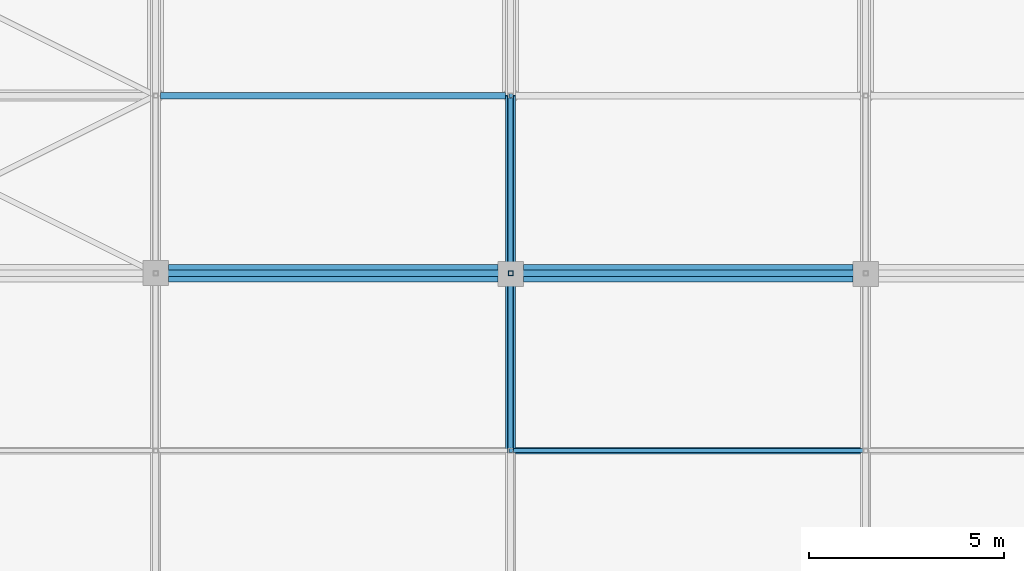
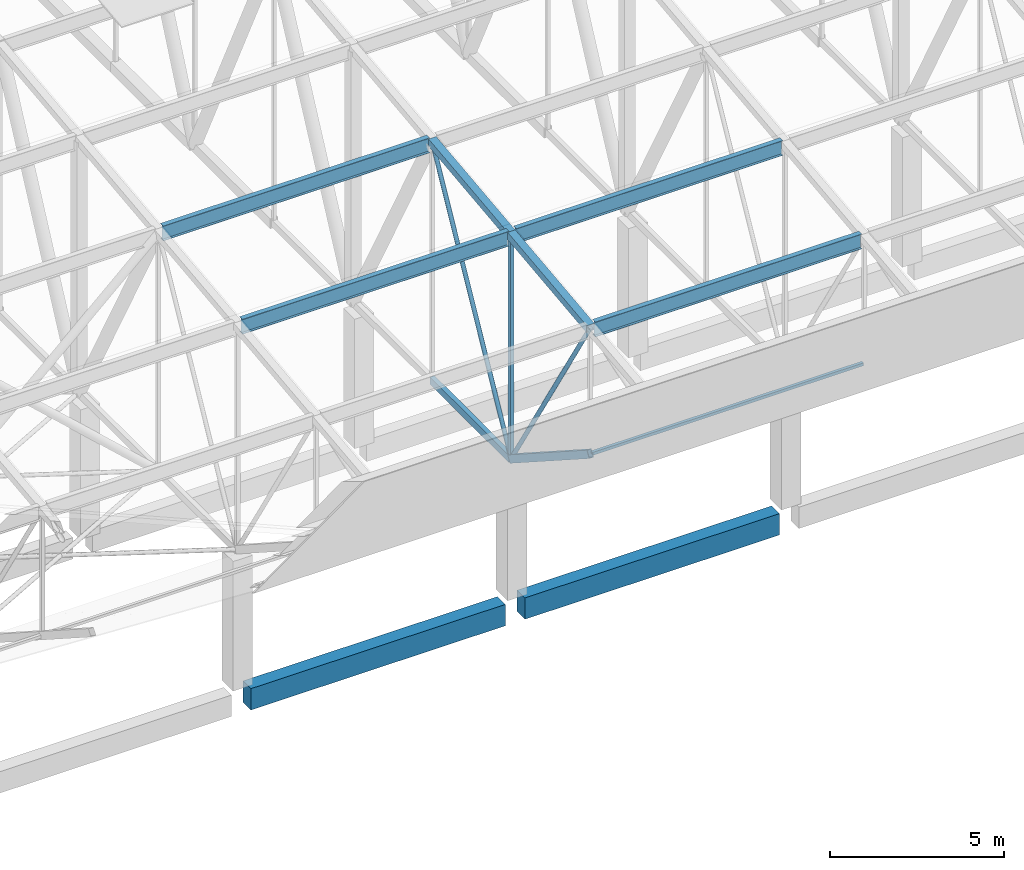
# One storey, part 95 of 500: 12 members, 2 beams.
"""IFC4 building model written with IfcOpenShell, lengths in metres."""

from ifc_helpers import new_model, si_unit, direction, frame, origin, origin_2d, place, context, subcontext, project, spatial, rectangle, hollow_rectangle, hollow_circle, i_section, extrude, material, material_profile, profile_set, type_object, element, save


model = new_model("IFC4")

# Units and contexts
model_context = context("Model", 3, precision=1e-05, world=origin(), true_north=direction((0.0, 1.0)))
body_context = subcontext(model_context, "Body", "Model", "MODEL_VIEW")
ifc_project = project(units=[si_unit("LENGTHUNIT", "METRE"), si_unit("AREAUNIT", "SQUARE_METRE"), si_unit("VOLUMEUNIT", "CUBIC_METRE"), si_unit("PLANEANGLEUNIT", "RADIAN"), si_unit("MASSUNIT", "GRAM", prefix="KILO")], contexts=[model_context])

# Site, building, storey
site_placement = place(None, origin())
site = spatial("IfcSite", under=ifc_project, at=site_placement, CompositionType="ELEMENT")
building_placement = place(site_placement, origin())
building = spatial("IfcBuilding", under=site, at=building_placement, Name="Shirokan Park Arena", CompositionType="ELEMENT")
storey_placement = place(building_placement, frame((0.0, 0.0, 29.1201171875)))
storey = spatial("IfcBuildingStorey", under=building, at=storey_placement, Name="L06", CompositionType="ELEMENT", Elevation=29.1201171875)

# Members
ifc_material_1 = material(Name="Steel ASTM A500 Grade C", Category="steel")
ifc_material_profile_1 = material_profile(ifc_material_1, hollow_rectangle(XDim=0.152099609375, YDim=0.25390625, WallThickness=0.009521484375, at=origin_2d()), Name="HSS254X152.4X9.5")
ifc_profile_set_1 = profile_set([ifc_material_profile_1], Name="Steel ASTM A500 Grade C")
member_type_1 = type_object("IfcMemberType", Name="Bottom chord HSS254X152.4X9.5", PredefinedType="CHORD", material=ifc_profile_set_1)
member_1_placement = place(storey_placement, frame((63.699951171875, -4.550048828125, 7.6044921875), z_axis=(0.0, 0.840971691661, -0.541079119746), x_axis=(-1.0, 0.0, 0.0)))
element("IfcMember", 1, at=member_1_placement, inside=storey, type_object=member_type_1, Name="Truss T08 bottom chord 2", PredefinedType="CHORD", context=body_context, shape_type="SweptSolid", body=[
    extrude(hollow_rectangle(XDim=0.152099609375, YDim=0.25390625, WallThickness=0.009521484375, at=origin_2d()), origin(), (0.0, 0.0, 1.0), 5.410400390625),
])
member_2_placement = place(storey_placement, frame((63.699951171875, 0.0, 4.677001953125), z_axis=(0.0, 1.0, 0.0), x_axis=(-1.0, 0.0, 0.0)))
element("IfcMember", 2, at=member_2_placement, inside=storey, type_object=member_type_1, Name="Truss T08 bottom chord 3", PredefinedType="CHORD", context=body_context, shape_type="SweptSolid", body=[
    extrude(hollow_rectangle(XDim=0.152099609375, YDim=0.25390625, WallThickness=0.009521484375, at=origin_2d()), origin(), (0.0, 0.0, 1.0), 4.550048828125),
])
ifc_material_profile_2 = material_profile(ifc_material_1, hollow_rectangle(XDim=0.10205078125, YDim=0.10205078125, WallThickness=0.00634765625, at=origin_2d()), Name="HSS101.6X101.6X6.4")
ifc_profile_set_2 = profile_set([ifc_material_profile_2], Name="Steel ASTM A500 Grade C")
member_type_2 = type_object("IfcMemberType", Name="Eave soffit rail HSS101.6X101.6X6.4", PredefinedType="USERDEFINED", material=ifc_profile_set_2)
member_3_placement = place(storey_placement, frame((63.757080078125, -4.550048828125, 7.6044921875), z_axis=(1.0, 0.0, 0.0), x_axis=(0.0, 1.0, 0.0)))
element("IfcMember", 3, at=member_3_placement, inside=storey, type_object=member_type_2, Name="Eave soffit rail S 2 bay 8", ObjectType="EAVE SOFFIT RAIL", PredefinedType="USERDEFINED", context=body_context, shape_type="SweptSolid", body=[
    extrude(hollow_rectangle(XDim=0.10205078125, YDim=0.10205078125, WallThickness=0.00634765625, at=origin_2d()), origin(), (0.0, 0.0, 1.0), 8.98583984375),
])
ifc_material_2 = material(Name="Steel ASTM A992", Category="steel")
ifc_material_profile_3 = material_profile(ifc_material_2, i_section(OverallWidth=0.166015625, OverallDepth=0.528076171875, WebThickness=0.009765625, FlangeThickness=0.013671875, at=origin_2d()), Name="W530X74")
ifc_profile_set_3 = profile_set([ifc_material_profile_3], Name="Steel ASTM A992")
member_type_3 = type_object("IfcMemberType", Name="Purlin W530X74", PredefinedType="PURLIN", material=ifc_profile_set_3)
member_4_placement = place(storey_placement, frame((63.826904296875, -4.550048828125, 11.9658203125), z_axis=(1.0, 0.0, 0.0), x_axis=(0.0, 1.0, 0.0)))
element("IfcMember", 4, at=member_4_placement, inside=storey, type_object=member_type_3, Name="Purlin 2 bay 8", PredefinedType="PURLIN", context=body_context, shape_type="SweptSolid", body=[
    extrude(i_section(OverallWidth=0.166015625, OverallDepth=0.528076171875, WebThickness=0.009765625, FlangeThickness=0.013671875, at=origin_2d()), origin(), (0.0, 0.0, 1.0), 8.84619140625),
])
member_5_placement = place(storey_placement, frame((54.72705078125, 0.0, 12.48583984375), z_axis=(1.0, 0.0, 0.0), x_axis=(0.0, 1.0, 0.0)))
element("IfcMember", 5, at=member_5_placement, inside=storey, type_object=member_type_3, Name="Purlin 3 bay 7", PredefinedType="PURLIN", context=body_context, shape_type="SweptSolid", body=[
    extrude(i_section(OverallWidth=0.166015625, OverallDepth=0.528076171875, WebThickness=0.009765625, FlangeThickness=0.013671875, at=origin_2d()), origin(), (0.0, 0.0, 1.0), 8.845947265625),
])
member_6_placement = place(storey_placement, frame((63.826904296875, 0.0, 12.48583984375), z_axis=(1.0, 0.0, 0.0), x_axis=(0.0, 1.0, 0.0)))
element("IfcMember", 6, at=member_6_placement, inside=storey, type_object=member_type_3, Name="Purlin 3 bay 8", PredefinedType="PURLIN", context=body_context, shape_type="SweptSolid", body=[
    extrude(i_section(OverallWidth=0.166015625, OverallDepth=0.528076171875, WebThickness=0.009765625, FlangeThickness=0.013671875, at=origin_2d()), origin(), (0.0, 0.0, 1.0), 8.84619140625),
])
member_7_placement = place(storey_placement, frame((54.72705078125, 4.550048828125, 13.005859375), z_axis=(1.0, 0.0, 0.0), x_axis=(0.0, 1.0, 0.0)))
element("IfcMember", 7, at=member_7_placement, inside=storey, type_object=member_type_3, Name="Purlin 4 bay 7", PredefinedType="PURLIN", context=body_context, shape_type="SweptSolid", body=[
    extrude(i_section(OverallWidth=0.166015625, OverallDepth=0.528076171875, WebThickness=0.009765625, FlangeThickness=0.013671875, at=origin_2d()), origin(), (0.0, 0.0, 1.0), 8.845947265625),
])

# Beams
ifc_material_3 = material(Name="Concrete C35", Category="concrete")
ifc_material_profile_4 = material_profile(ifc_material_3, rectangle(XDim=0.449951171875, YDim=0.75, at=origin_2d()), Name="450x750")
ifc_profile_set_4 = profile_set([ifc_material_profile_4], Name="Concrete C35")
beam_type = type_object("IfcBeamType", Name="RC girder 450x750", PredefinedType="BEAM", material=ifc_profile_set_4)
beam_1_placement = place(storey_placement, frame((54.925048828125, 0.0, -0.5751953125), z_axis=(1.0, 0.0, 0.0), x_axis=(0.0, 1.0, 0.0)))
element("IfcBeam", 8, at=beam_1_placement, inside=storey, type_object=beam_type, Name="Girder 7A-8A L06", PredefinedType="BEAM", context=body_context, shape_type="SweptSolid", body=[
    extrude(rectangle(XDim=0.449951171875, YDim=0.75, at=origin_2d()), origin(), (0.0, 0.0, 1.0), 8.449951171875),
])
beam_2_placement = place(storey_placement, frame((64.025146484375, 0.0, -0.5751953125), z_axis=(1.0, 0.0, 0.0), x_axis=(0.0, 1.0, 0.0)))
element("IfcBeam", 9, at=beam_2_placement, inside=storey, type_object=beam_type, Name="Girder 8A-9A L06", PredefinedType="BEAM", context=body_context, shape_type="SweptSolid", body=[
    extrude(rectangle(XDim=0.449951171875, YDim=0.75, at=origin_2d()), origin(), (0.0, 0.0, 1.0), 8.44970703125),
])

# Members
ifc_material_profile_5 = material_profile(ifc_material_1, hollow_rectangle(XDim=0.25390625, YDim=0.25390625, WallThickness=0.009521484375, at=origin_2d()), Name="HSS254X254X9.5")
ifc_profile_set_5 = profile_set([ifc_material_profile_5], Name="Steel ASTM A500 Grade C")
member_type_4 = type_object("IfcMemberType", Name="Top chord HSS254X254X9.5", PredefinedType="CHORD", material=ifc_profile_set_5)
for number, where, z_axis, x_axis, name in (
    (10, (63.699951171875, -4.550048828125, 12.021484375), (0.0, 0.993532328996, 0.113549598152), (-1.0, 0.0, 0.0), "Truss T08 top chord 2"),
    (11, (63.699951171875, 0.0, 12.54150390625), (0.0, 0.993538341779, 0.113496975353), (-1.0, 0.0, 0.0), "Truss T08 top chord 3"),
):
    element("IfcMember", number, at=place(storey_placement, frame(where, z_axis=z_axis, x_axis=x_axis)), inside=storey, type_object=member_type_4, Name=name, PredefinedType="CHORD", context=body_context, shape_type="SweptSolid", body=[
        extrude(hollow_rectangle(XDim=0.25390625, YDim=0.25390625, WallThickness=0.009521484375, at=origin_2d()), origin(), (0.0, 0.0, 1.0), 4.57958984375),
    ])
ifc_material_profile_6 = material_profile(ifc_material_1, hollow_circle(Radius=0.070556640625, WallThickness=0.006591796875, at=origin_2d()), Name="HSS141.3X6.6")
ifc_profile_set_6 = profile_set([ifc_material_profile_6], Name="Steel ASTM A500 Grade C")
member_type_5 = type_object("IfcMemberType", Name="Truss diagonal HSS141.3X6.6", PredefinedType="BRACE", material=ifc_profile_set_6)
member_8_placement = place(storey_placement, frame((63.699951171875, -4.550048828125, 12.021484375), z_axis=(0.0, 0.526644483383, -0.850085635758), x_axis=(-1.0, 0.0, 0.0)))
element("IfcMember", 12, at=member_8_placement, inside=storey, type_object=member_type_5, Name="Truss T08 diagonal 2", PredefinedType="BRACE", context=body_context, shape_type="SweptSolid", body=[
    extrude(hollow_circle(Radius=0.070556640625, WallThickness=0.006591796875, at=origin_2d()), origin(), (0.0, 0.0, 1.0), 8.6396484375),
])
member_9_placement = place(storey_placement, frame((63.699951171875, 0.0, 4.677001953125), z_axis=(0.0, 0.476977206611, 0.878915663971), x_axis=(-1.0, 0.0, 0.0)))
element("IfcMember", 13, at=member_9_placement, inside=storey, type_object=member_type_5, Name="Truss T08 diagonal 3", PredefinedType="BRACE", context=body_context, shape_type="SweptSolid", body=[
    extrude(hollow_circle(Radius=0.070556640625, WallThickness=0.006591796875, at=origin_2d()), origin(), (0.0, 0.0, 1.0), 9.539306640625),
])
ifc_material_profile_7 = material_profile(ifc_material_1, hollow_rectangle(XDim=0.126953125, YDim=0.126953125, WallThickness=0.0126953125, at=origin_2d()), Name="HSS127X127X12.7")
ifc_profile_set_7 = profile_set([ifc_material_profile_7], Name="Steel ASTM A500 Grade C")
member_type_6 = type_object("IfcMemberType", Name="Truss post HSS127X127X12.7", PredefinedType="POST", material=ifc_profile_set_7)
member_10_placement = place(storey_placement, frame((63.699951171875, 0.0, 4.677001953125), z_axis=(0.0, 0.0, 1.0), x_axis=(1.0, 0.0, 0.0)))
element("IfcMember", 14, at=member_10_placement, inside=storey, type_object=member_type_6, Name="Truss T08 post 3", PredefinedType="POST", context=body_context, shape_type="SweptSolid", body=[
    extrude(hollow_rectangle(XDim=0.126953125, YDim=0.126953125, WallThickness=0.0126953125, at=origin_2d()), origin(), (0.0, 0.0, 1.0), 7.864501953125),
])

save(model, "model.ifc")
